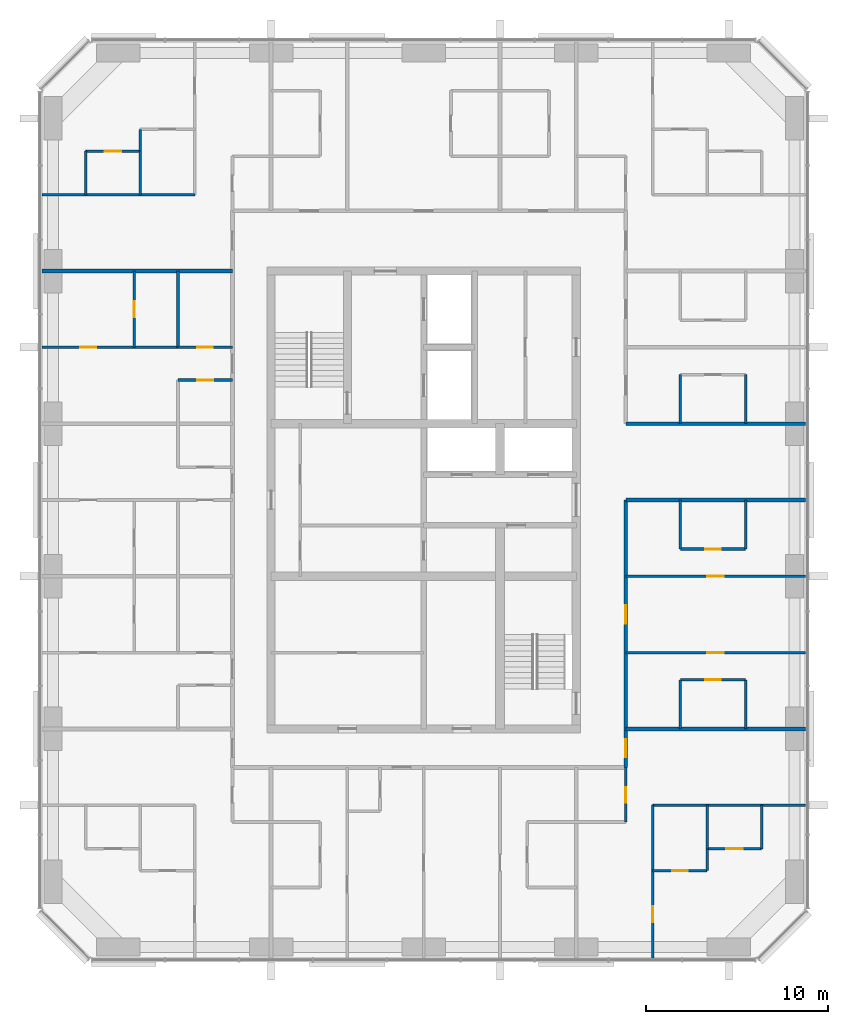
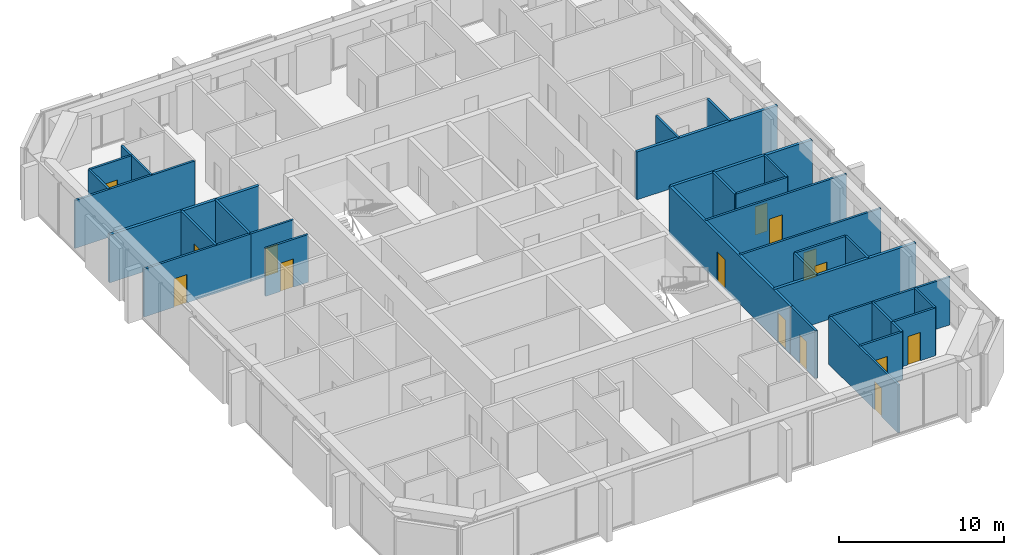
# One storey, part 9 of 12: 33 walls, 15 doors, 15 openings.
"""IFC4 building model written with IfcOpenShell, lengths in metres."""

from ifc_helpers import new_model, si_unit, direction, frame, frame_2d, origin, place, context, subcontext, project, spatial, rectangle, extrude, material, layer, layer_set, type_object, element, fill, save


model = new_model("IFC4")

# Units and contexts
model_context = context("Model", 3, precision=1e-05, world=origin(), true_north=direction((0.0, 1.0)))
body_context = subcontext(model_context, "Body", "Model", "MODEL_VIEW")
ifc_project = project(units=[si_unit("LENGTHUNIT", "METRE"), si_unit("AREAUNIT", "SQUARE_METRE"), si_unit("VOLUMEUNIT", "CUBIC_METRE"), si_unit("PLANEANGLEUNIT", "RADIAN"), si_unit("MASSUNIT", "GRAM", prefix="KILO")], contexts=[model_context])

# Site, building, storey
site_placement = place(None, origin())
site = spatial("IfcSite", under=ifc_project, at=site_placement, CompositionType="ELEMENT")
building_placement = place(site_placement, origin())
building = spatial("IfcBuilding", under=site, at=building_placement, Name="Dunama Terrace Hotel", CompositionType="ELEMENT")
storey_placement = place(building_placement, frame((0.0, 0.0, 260.699951171875)))
storey = spatial("IfcBuildingStorey", under=building, at=storey_placement, Name="L67", CompositionType="ELEMENT", Elevation=260.699951171875)

# Wall
ifc_material_1 = material(Name="Gypsum board partition", Category="masonry")
ifc_layer_1 = layer(ifc_material_1, 0.14990234375)
ifc_layer_set_1 = layer_set([ifc_layer_1], Name="Bathroom partition 150")
wall_type_1 = type_object("IfcWallType", Name="Bathroom partition 150", PredefinedType="PARTITIONING", material=ifc_layer_set_1)
wall_1_placement = place(storey_placement, frame((18.0, 48.60009765625, 0.0), z_axis=(0.0, 0.0, 1.0), x_axis=(0.0, 1.0, 0.0)))
element("IfcWall", 1, at=wall_1_placement, inside=storey, type_object=wall_type_1, Name="Bathroom partition 150 L67", PredefinedType="PARTITIONING", context=body_context, shape_type="SweptSolid", body=[
    extrude(rectangle(XDim=1.199951171875, YDim=0.14990234375, at=frame_2d((0.60009765625, 0.0))), origin(), (0.0, 0.0, 1.0), 3.550048828125),
])

# Wall, opening, door
wall_2_placement = place(storey_placement, frame((44.72509765625, 11.675048828125, 0.0), z_axis=(0.0, 0.0, 1.0), x_axis=(0.0, 1.0, 0.0)))
wall_2 = element("IfcWall", 2, at=wall_2_placement, inside=storey, type_object=wall_type_1, Name="Bathroom partition 150 L67", PredefinedType="PARTITIONING", context=body_context, shape_type="SweptSolid", body=[
    extrude(rectangle(XDim=3.0, YDim=0.14990234375, at=frame_2d((1.5, 0.0))), origin(), (0.0, 0.0, 1.0), 3.550048828125),
])
opening_1_placement = place(wall_2_placement, frame((1.074951171875, 0.0, 0.0)))
opening_1 = element("IfcOpeningElement", 3, at=opening_1_placement, cuts=wall_2, Name="Opening L65-67-050", PredefinedType="OPENING", context=body_context, shape_type="SweptSolid", body=[
    extrude(rectangle(XDim=0.85009765625, YDim=2.10009765625, at=frame_2d((0.425048828125, 1.050048828125))), frame((0.0, 0.0849609375, 0.0), z_axis=(0.0, -1.0, 0.0), x_axis=(1.0, 0.0, 0.0)), (0.0, 0.0, 1.0), 0.169921875),
])
ifc_material_2 = material(Name="Timber door with steel frame", Category="steel")
door_type_1 = type_object("IfcDoorType", Name="Bathroom door 850", OperationType="SINGLE_SWING_LEFT", PredefinedType="DOOR", material=ifc_material_2)
door_1_placement = place(opening_1_placement, origin())
door_1 = element("IfcDoor", 4, at=door_1_placement, inside=storey, type_object=door_type_1, Name="Door to powder room L65-67-050, type D2", OperationType="SINGLE_SWING_RIGHT", OverallHeight=2.10009765625, OverallWidth=0.85009765625, PredefinedType="DOOR", context=body_context, shape_type="SweptSolid", body=[
    extrude(rectangle(XDim=0.85009765625, YDim=2.10009765625, at=frame_2d((0.425048828125, 1.050048828125))), frame((0.0, 0.02490234375, 0.0), z_axis=(0.0, -1.0, 0.0), x_axis=(1.0, 0.0, 0.0)), (0.0, 0.0, 1.0), 0.050048828125),
])
fill(opening_1, door_1)

# Walls
for number, where, z_axis, x_axis, name in (
    (5, (47.72509765625, 16.800048828125, 0.0), (0.0, 0.0, 1.0), (0.0, 1.0, 0.0), "Bathroom partition 150 L67"),
    (6, (47.72509765625, 26.699951171875, 0.0), (0.0, 0.0, 1.0), (0.0, 1.0, 0.0), "Bathroom partition 150 L67"),
    (7, (47.72509765625, 33.60009765625, 0.0), (0.0, 0.0, 1.0), (0.0, 1.0, 0.0), "Bathroom partition 150 L67"),
):
    element("IfcWall", number, at=place(storey_placement, frame(where, z_axis=z_axis, x_axis=x_axis)), inside=storey, type_object=wall_type_1, Name=name, PredefinedType="PARTITIONING", context=body_context, shape_type="SweptSolid", body=[
        extrude(rectangle(XDim=2.699951171875, YDim=0.14990234375, at=frame_2d((1.35009765625, 0.0))), origin(), (0.0, 0.0, 1.0), 3.550048828125),
    ])
wall_3_placement = place(storey_placement, frame((49.199951171875, 9.0, 0.0), z_axis=(0.0, 0.0, 1.0), x_axis=(0.0, 1.0, 0.0)))
element("IfcWall", 8, at=wall_3_placement, inside=storey, type_object=wall_type_1, Name="Bathroom partition 150 L67", PredefinedType="PARTITIONING", context=body_context, shape_type="SweptSolid", body=[
    extrude(rectangle(XDim=1.199951171875, YDim=0.14990234375, at=frame_2d((0.60009765625, 0.0))), origin(), (0.0, 0.0, 1.0), 3.550048828125),
])
for number, where, z_axis, x_axis, name in (
    (9, (51.324951171875, 16.800048828125, 0.0), (0.0, 0.0, 1.0), (0.0, 1.0, 0.0), "Bathroom partition 150 L67"),
    (10, (51.324951171875, 26.699951171875, 0.0), (0.0, 0.0, 1.0), (0.0, 1.0, 0.0), "Bathroom partition 150 L67"),
    (11, (51.324951171875, 33.60009765625, 0.0), (0.0, 0.0, 1.0), (0.0, 1.0, 0.0), "Bathroom partition 150 L67"),
):
    element("IfcWall", number, at=place(storey_placement, frame(where, z_axis=z_axis, x_axis=x_axis)), inside=storey, type_object=wall_type_1, Name=name, PredefinedType="PARTITIONING", context=body_context, shape_type="SweptSolid", body=[
        extrude(rectangle(XDim=2.699951171875, YDim=0.14990234375, at=frame_2d((1.35009765625, 0.0))), origin(), (0.0, 0.0, 1.0), 3.550048828125),
    ])

# Wall, opening, door
wall_4_placement = place(storey_placement, frame((46.199951171875, 9.0, 0.0), z_axis=(0.0, 0.0, 1.0), x_axis=(1.0, 0.0, 0.0)))
wall_4 = element("IfcWall", 12, at=wall_4_placement, inside=storey, type_object=wall_type_1, Name="Bathroom partition 150 L67", PredefinedType="PARTITIONING", context=body_context, shape_type="SweptSolid", body=[
    extrude(rectangle(XDim=3.0, YDim=0.14990234375, at=frame_2d((1.5, 0.0))), origin(), (0.0, 0.0, 1.0), 3.550048828125),
])
opening_2_placement = place(wall_4_placement, frame((1.074951171875, 0.0, 0.0)))
opening_2 = element("IfcOpeningElement", 13, at=opening_2_placement, cuts=wall_4, Name="Opening L65-67-052", PredefinedType="OPENING", context=body_context, shape_type="SweptSolid", body=[
    extrude(rectangle(XDim=0.85009765625, YDim=2.10009765625, at=frame_2d((0.425048828125, 1.050048828125))), frame((0.0, 0.0849609375, 0.0), z_axis=(0.0, -1.0, 0.0), x_axis=(1.0, 0.0, 0.0)), (0.0, 0.0, 1.0), 0.169921875),
])
door_2_placement = place(opening_2_placement, origin())
door_2 = element("IfcDoor", 14, at=door_2_placement, inside=storey, type_object=door_type_1, Name="Door to en-suite bathroom L65-67-052, type D2", OperationType="SINGLE_SWING_RIGHT", OverallHeight=2.10009765625, OverallWidth=0.85009765625, PredefinedType="DOOR", context=body_context, shape_type="SweptSolid", body=[
    extrude(rectangle(XDim=0.85009765625, YDim=2.10009765625, at=frame_2d((0.425048828125, 1.050048828125))), frame((0.0, 0.02490234375, 0.0), z_axis=(0.0, -1.0, 0.0), x_axis=(1.0, 0.0, 0.0)), (0.0, 0.0, 1.0), 0.050048828125),
])
fill(opening_2, door_2)

wall_5_placement = place(storey_placement, frame((47.72509765625, 19.5, 0.0), z_axis=(0.0, 0.0, 1.0), x_axis=(1.0, 0.0, 0.0)))
wall_5 = element("IfcWall", 15, at=wall_5_placement, inside=storey, type_object=wall_type_1, Name="Bathroom partition 150 L67", PredefinedType="PARTITIONING", context=body_context, shape_type="SweptSolid", body=[
    extrude(rectangle(XDim=3.599853515625, YDim=0.14990234375, at=frame_2d((1.7998046875, 0.0))), origin(), (0.0, 0.0, 1.0), 3.550048828125),
])
opening_3_placement = place(wall_5_placement, frame((1.375, 0.0, 0.0)))
opening_3 = element("IfcOpeningElement", 16, at=opening_3_placement, cuts=wall_5, Name="Opening L65-67-016", PredefinedType="OPENING", context=body_context, shape_type="SweptSolid", body=[
    extrude(rectangle(XDim=0.85009765625, YDim=2.10009765625, at=frame_2d((0.425048828125, 1.050048828125))), frame((0.0, 0.0849609375, 0.0), z_axis=(0.0, -1.0, 0.0), x_axis=(1.0, 0.0, 0.0)), (0.0, 0.0, 1.0), 0.169921875),
])
door_3_placement = place(opening_3_placement, frame((0.85009765625, 0.0, 0.0), z_axis=(0.0, 0.0, 1.0), x_axis=(-1.0, 0.0, 0.0)))
door_3 = element("IfcDoor", 17, at=door_3_placement, inside=storey, type_object=door_type_1, Name="Door to en-suite bathroom L65-67-016, type D2", OperationType="SINGLE_SWING_RIGHT", OverallHeight=2.10009765625, OverallWidth=0.85009765625, PredefinedType="DOOR", context=body_context, shape_type="SweptSolid", body=[
    extrude(rectangle(XDim=0.85009765625, YDim=2.10009765625, at=frame_2d((0.425048828125, 1.050048828125))), frame((0.0, 0.025146484375, 0.0), z_axis=(0.0, -1.0, 0.0), x_axis=(1.0, 0.0, 0.0)), (0.0, 0.0, 1.0), 0.050048828125),
])
fill(opening_3, door_3)

wall_6_placement = place(storey_placement, frame((47.72509765625, 26.699951171875, 0.0), z_axis=(0.0, 0.0, 1.0), x_axis=(1.0, 0.0, 0.0)))
wall_6 = element("IfcWall", 18, at=wall_6_placement, inside=storey, type_object=wall_type_1, Name="Bathroom partition 150 L67", PredefinedType="PARTITIONING", context=body_context, shape_type="SweptSolid", body=[
    extrude(rectangle(XDim=3.599853515625, YDim=0.14990234375, at=frame_2d((1.7998046875, 0.0))), origin(), (0.0, 0.0, 1.0), 3.550048828125),
])
opening_4_placement = place(wall_6_placement, frame((1.375, 0.0, 0.0)))
opening_4 = element("IfcOpeningElement", 19, at=opening_4_placement, cuts=wall_6, Name="Opening L65-67-018", PredefinedType="OPENING", context=body_context, shape_type="SweptSolid", body=[
    extrude(rectangle(XDim=0.85009765625, YDim=2.10009765625, at=frame_2d((0.425048828125, 1.050048828125))), frame((0.0, 0.0849609375, 0.0), z_axis=(0.0, -1.0, 0.0), x_axis=(1.0, 0.0, 0.0)), (0.0, 0.0, 1.0), 0.169921875),
])
door_4_placement = place(opening_4_placement, origin())
door_4 = element("IfcDoor", 20, at=door_4_placement, inside=storey, type_object=door_type_1, Name="Door to en-suite bathroom L65-67-018, type D2", OperationType="SINGLE_SWING_LEFT", OverallHeight=2.10009765625, OverallWidth=0.85009765625, PredefinedType="DOOR", context=body_context, shape_type="SweptSolid", body=[
    extrude(rectangle(XDim=0.85009765625, YDim=2.10009765625, at=frame_2d((0.425048828125, 1.050048828125))), frame((0.0, 0.02490234375, 0.0), z_axis=(0.0, -1.0, 0.0), x_axis=(1.0, 0.0, 0.0)), (0.0, 0.0, 1.0), 0.050048828125),
])
fill(opening_4, door_4)

wall_7_placement = place(storey_placement, frame((20.074951171875, 37.800048828125, 0.0), z_axis=(0.0, 0.0, 1.0), x_axis=(1.0, 0.0, 0.0)))
wall_7 = element("IfcWall", 21, at=wall_7_placement, inside=storey, type_object=wall_type_1, Name="Bathroom partition 150 L67", PredefinedType="PARTITIONING", context=body_context, shape_type="SweptSolid", body=[
    extrude(rectangle(XDim=3.0, YDim=0.14990234375, at=frame_2d((1.5, 0.0))), origin(), (0.0, 0.0, 1.0), 3.550048828125),
])
opening_5_placement = place(wall_7_placement, frame((1.074951171875, 0.0, 0.0)))
opening_5 = element("IfcOpeningElement", 22, at=opening_5_placement, cuts=wall_7, Name="Opening L65-67-041", PredefinedType="OPENING", context=body_context, shape_type="SweptSolid", body=[
    extrude(rectangle(XDim=0.85009765625, YDim=2.10009765625, at=frame_2d((0.425048828125, 1.050048828125))), frame((0.0, 0.0849609375, 0.0), z_axis=(0.0, -1.0, 0.0), x_axis=(1.0, 0.0, 0.0)), (0.0, 0.0, 1.0), 0.169921875),
])
door_5_placement = place(opening_5_placement, origin())
door_5 = element("IfcDoor", 23, at=door_5_placement, inside=storey, type_object=door_type_1, Name="Door to residence bathroom L65-67-041, type D2", OperationType="SINGLE_SWING_RIGHT", OverallHeight=2.10009765625, OverallWidth=0.85009765625, PredefinedType="DOOR", context=body_context, shape_type="SweptSolid", body=[
    extrude(rectangle(XDim=0.85009765625, YDim=2.10009765625, at=frame_2d((0.425048828125, 1.050048828125))), frame((0.0, 0.02490234375, 0.0), z_axis=(0.0, -1.0, 0.0), x_axis=(1.0, 0.0, 0.0)), (0.0, 0.0, 1.0), 0.050048828125),
])
fill(opening_5, door_5)

# Wall
ifc_material_3 = material(Name="Concrete blockwork", Category="masonry")
ifc_layer_2 = layer(ifc_material_3, 0.199951171875)
ifc_layer_set_2 = layer_set([ifc_layer_2], Name="Corridor partition 200")
wall_type_2 = type_object("IfcWallType", Name="Corridor partition 200", PredefinedType="PARTITIONING", material=ifc_layer_set_2)
wall_8_placement = place(storey_placement, frame((44.72509765625, 33.60009765625, 0.0), z_axis=(0.0, 0.0, 1.0), x_axis=(1.0, 0.0, 0.0)))
element("IfcWall", 24, at=wall_8_placement, inside=storey, type_object=wall_type_2, Name="Corridor partition 200 L67", PredefinedType="PARTITIONING", context=body_context, shape_type="SweptSolid", body=[
    extrude(rectangle(XDim=9.892822265625, YDim=0.199951171875, at=frame_2d((4.9462890625, 0.0))), origin(), (0.0, 0.0, 1.0), 3.550048828125),
])

# Wall, openings, doors
wall_9_placement = place(storey_placement, frame((44.72509765625, 29.39990234375, 0.0), z_axis=(0.0, 0.0, 1.0), x_axis=(0.0, -1.0, 0.0)))
wall_9 = element("IfcWall", 25, at=wall_9_placement, inside=storey, type_object=wall_type_2, Name="Corridor partition 200 L67", PredefinedType="PARTITIONING", context=body_context, shape_type="SweptSolid", body=[
    extrude(rectangle(XDim=14.724853515625, YDim=0.199951171875, at=frame_2d((7.3623046875, 0.0))), origin(), (0.0, 0.0, 1.0), 3.550048828125),
])
opening_6_placement = place(wall_9_placement, frame((5.800048828125, 0.0, 0.0)))
opening_6 = element("IfcOpeningElement", 26, at=opening_6_placement, cuts=wall_9, Name="Opening L65-67-014", PredefinedType="OPENING", context=body_context, shape_type="SweptSolid", body=[
    extrude(rectangle(XDim=1.0, YDim=2.199951171875, at=frame_2d((0.5, 1.10009765625))), frame((0.0, 0.10986328125, 0.0), z_axis=(0.0, -1.0, 0.0), x_axis=(1.0, 0.0, 0.0)), (0.0, 0.0, 1.0), 0.219970703125),
])
opening_7_placement = place(wall_9_placement, frame((13.162109375, 0.0, 0.0)))
opening_7 = element("IfcOpeningElement", 27, at=opening_7_placement, cuts=wall_9, Name="Opening L65-67-049", PredefinedType="OPENING", context=body_context, shape_type="SweptSolid", body=[
    extrude(rectangle(XDim=1.0, YDim=2.199951171875, at=frame_2d((0.5, 1.10009765625))), frame((0.0, 0.10986328125, 0.0), z_axis=(0.0, -1.0, 0.0), x_axis=(1.0, 0.0, 0.0)), (0.0, 0.0, 1.0), 0.219970703125),
])
ifc_material_4 = material(Name="Timber door with steel frame", Category="steel")
door_type_2 = type_object("IfcDoorType", Name="Guest room door 1000", OperationType="SINGLE_SWING_LEFT", PredefinedType="DOOR", material=ifc_material_4)
door_6_placement = place(opening_6_placement, origin())
door_6 = element("IfcDoor", 28, at=door_6_placement, inside=storey, type_object=door_type_2, Name="Door to two-bedroom suite living room L65-67-014, type D1", OperationType="SINGLE_SWING_RIGHT", OverallHeight=2.199951171875, OverallWidth=1.0, PredefinedType="DOOR", context=body_context, shape_type="SweptSolid", body=[
    extrude(rectangle(XDim=1.0, YDim=2.199951171875, at=frame_2d((0.5, 1.10009765625))), frame((0.0, 0.02490234375, 0.0), z_axis=(0.0, -1.0, 0.0), x_axis=(1.0, 0.0, 0.0)), (0.0, 0.0, 1.0), 0.050048828125),
])
fill(opening_6, door_6)
door_7_placement = place(opening_7_placement, origin())
door_7 = element("IfcDoor", 29, at=door_7_placement, inside=storey, type_object=door_type_2, Name="Door to grand corner suite living room L65-67-049, type D1", OperationType="SINGLE_SWING_LEFT", OverallHeight=2.199951171875, OverallWidth=1.0, PredefinedType="DOOR", context=body_context, shape_type="SweptSolid", body=[
    extrude(rectangle(XDim=1.0, YDim=2.199951171875, at=frame_2d((0.5, 1.10009765625))), frame((0.0, 0.02490234375, 0.0), z_axis=(0.0, -1.0, 0.0), x_axis=(1.0, 0.0, 0.0)), (0.0, 0.0, 1.0), 0.050048828125),
])
fill(opening_7, door_7)

# Walls
wall_10_placement = place(storey_placement, frame((54.617919921875, 29.39990234375, 0.0), z_axis=(0.0, 0.0, 1.0), x_axis=(-1.0, 0.0, 0.0)))
element("IfcWall", 30, at=wall_10_placement, inside=storey, type_object=wall_type_2, Name="Corridor partition 200 L67", PredefinedType="PARTITIONING", context=body_context, shape_type="SweptSolid", body=[
    extrude(rectangle(XDim=9.892822265625, YDim=0.199951171875, at=frame_2d((4.9462890625, 0.0))), origin(), (0.0, 0.0, 1.0), 3.550048828125),
])
ifc_material_5 = material(Name="Concrete blockwork", Category="masonry")
ifc_layer_3 = layer(ifc_material_5, 0.199951171875)
ifc_layer_set_3 = layer_set([ifc_layer_3], Name="Party wall 200")
wall_type_3 = type_object("IfcWallType", Name="Party wall 200", PredefinedType="PARTITIONING", material=ifc_layer_set_3)
wall_11_placement = place(storey_placement, frame((44.72509765625, 16.800048828125, 0.0), z_axis=(0.0, 0.0, 1.0), x_axis=(1.0, 0.0, 0.0)))
element("IfcWall", 31, at=wall_11_placement, inside=storey, type_object=wall_type_3, Name="Party wall 200 L67", PredefinedType="PARTITIONING", context=body_context, shape_type="SweptSolid", body=[
    extrude(rectangle(XDim=9.892822265625, YDim=0.199951171875, at=frame_2d((4.9462890625, 0.0))), origin(), (0.0, 0.0, 1.0), 3.550048828125),
])
wall_12_placement = place(storey_placement, frame((12.58203125, 42.0, 0.0), z_axis=(0.0, 0.0, 1.0), x_axis=(1.0, 0.0, 0.0)))
element("IfcWall", 32, at=wall_12_placement, inside=storey, type_object=wall_type_3, Name="Party wall 200 L67", PredefinedType="PARTITIONING", context=body_context, shape_type="SweptSolid", body=[
    extrude(rectangle(XDim=10.492919921875, YDim=0.199951171875, at=frame_2d((5.24658203125, 0.0))), origin(), (0.0, 0.0, 1.0), 3.550048828125),
])
ifc_material_6 = material(Name="Gypsum board partition", Category="masonry")
ifc_layer_4 = layer(ifc_material_6, 0.14990234375)
ifc_layer_set_4 = layer_set([ifc_layer_4], Name="Room partition 150")
wall_type_4 = type_object("IfcWallType", Name="Room partition 150", PredefinedType="PARTITIONING", material=ifc_layer_set_4)
wall_13_placement = place(storey_placement, frame((15.0, 46.199951171875, 0.0), z_axis=(0.0, 0.0, 1.0), x_axis=(0.0, 1.0, 0.0)))
element("IfcWall", 33, at=wall_13_placement, inside=storey, type_object=wall_type_4, Name="Room partition 150 L67", PredefinedType="PARTITIONING", context=body_context, shape_type="SweptSolid", body=[
    extrude(rectangle(XDim=2.400146484375, YDim=0.14990234375, at=frame_2d((1.2001953125, 0.0))), origin(), (0.0, 0.0, 1.0), 3.550048828125),
])

# Wall, opening, door
wall_14_placement = place(storey_placement, frame((17.675048828125, 37.800048828125, 0.0), z_axis=(0.0, 0.0, 1.0), x_axis=(0.0, 1.0, 0.0)))
wall_14 = element("IfcWall", 34, at=wall_14_placement, inside=storey, type_object=wall_type_4, Name="Room partition 150 L67", PredefinedType="PARTITIONING", context=body_context, shape_type="SweptSolid", body=[
    extrude(rectangle(XDim=4.199951171875, YDim=0.14990234375, at=frame_2d((2.10009765625, 0.0))), origin(), (0.0, 0.0, 1.0), 3.550048828125),
])
opening_8_placement = place(wall_14_placement, frame((1.64990234375, 0.0, 0.0)))
opening_8 = element("IfcOpeningElement", 35, at=opening_8_placement, cuts=wall_14, Name="Opening L65-67-042", PredefinedType="OPENING", context=body_context, shape_type="SweptSolid", body=[
    extrude(rectangle(XDim=0.89990234375, YDim=2.10009765625, at=frame_2d((0.449951171875, 1.050048828125))), frame((0.0, 0.0849609375, 0.0), z_axis=(0.0, -1.0, 0.0), x_axis=(1.0, 0.0, 0.0)), (0.0, 0.0, 1.0), 0.169921875),
])
ifc_material_7 = material(Name="Timber door with steel frame", Category="steel")
door_type_3 = type_object("IfcDoorType", Name="Suite internal door 900", OperationType="SINGLE_SWING_LEFT", PredefinedType="DOOR", material=ifc_material_7)
door_8_placement = place(opening_8_placement, frame((0.89990234375, 0.0, 0.0), z_axis=(0.0, 0.0, 1.0), x_axis=(-1.0, 0.0, 0.0)))
door_8 = element("IfcDoor", 36, at=door_8_placement, inside=storey, type_object=door_type_3, Name="Door to walk-in wardrobe L65-67-042, type D16", OperationType="SINGLE_SWING_RIGHT", OverallHeight=2.10009765625, OverallWidth=0.89990234375, PredefinedType="DOOR", context=body_context, shape_type="SweptSolid", body=[
    extrude(rectangle(XDim=0.89990234375, YDim=2.10009765625, at=frame_2d((0.449951171875, 1.050048828125))), frame((0.0, 0.025146484375, 0.0), z_axis=(0.0, -1.0, 0.0), x_axis=(1.0, 0.0, 0.0)), (0.0, 0.0, 1.0), 0.050048828125),
])
fill(opening_8, door_8)

# Walls
wall_15_placement = place(storey_placement, frame((18.0, 46.199951171875, 0.0), z_axis=(0.0, 0.0, 1.0), x_axis=(0.0, 1.0, 0.0)))
element("IfcWall", 37, at=wall_15_placement, inside=storey, type_object=wall_type_4, Name="Room partition 150 L67", PredefinedType="PARTITIONING", context=body_context, shape_type="SweptSolid", body=[
    extrude(rectangle(XDim=2.400146484375, YDim=0.14990234375, at=frame_2d((1.2001953125, 0.0))), origin(), (0.0, 0.0, 1.0), 3.550048828125),
])
wall_16_placement = place(storey_placement, frame((20.074951171875, 37.800048828125, 0.0), z_axis=(0.0, 0.0, 1.0), x_axis=(0.0, 1.0, 0.0)))
element("IfcWall", 38, at=wall_16_placement, inside=storey, type_object=wall_type_4, Name="Room partition 150 L67", PredefinedType="PARTITIONING", context=body_context, shape_type="SweptSolid", body=[
    extrude(rectangle(XDim=4.199951171875, YDim=0.14990234375, at=frame_2d((2.10009765625, 0.0))), origin(), (0.0, 0.0, 1.0), 3.550048828125),
])

# Wall, opening, door
wall_17_placement = place(storey_placement, frame((46.199951171875, 4.181884765625, 0.0), z_axis=(0.0, 0.0, 1.0), x_axis=(0.0, 1.0, 0.0)))
wall_17 = element("IfcWall", 39, at=wall_17_placement, inside=storey, type_object=wall_type_4, Name="Room partition 150 L67", PredefinedType="PARTITIONING", context=body_context, shape_type="SweptSolid", body=[
    extrude(rectangle(XDim=8.418212890625, YDim=0.14990234375, at=frame_2d((4.208984375, 0.0))), origin(), (0.0, 0.0, 1.0), 3.550048828125),
])
opening_9_placement = place(wall_17_placement, frame((1.968017578125, 0.0, 0.0)))
opening_9 = element("IfcOpeningElement", 40, at=opening_9_placement, cuts=wall_17, Name="Opening L65-67-051", PredefinedType="OPENING", context=body_context, shape_type="SweptSolid", body=[
    extrude(rectangle(XDim=0.89990234375, YDim=2.10009765625, at=frame_2d((0.449951171875, 1.050048828125))), frame((0.0, 0.0849609375, 0.0), z_axis=(0.0, -1.0, 0.0), x_axis=(1.0, 0.0, 0.0)), (0.0, 0.0, 1.0), 0.169921875),
])
door_9_placement = place(opening_9_placement, frame((0.89990234375, 0.0, 0.0), z_axis=(0.0, 0.0, 1.0), x_axis=(-1.0, 0.0, 0.0)))
door_9 = element("IfcDoor", 41, at=door_9_placement, inside=storey, type_object=door_type_3, Name="Door to grand corner suite bedroom L65-67-051, type D16", OperationType="SINGLE_SWING_LEFT", OverallHeight=2.10009765625, OverallWidth=0.89990234375, PredefinedType="DOOR", context=body_context, shape_type="SweptSolid", body=[
    extrude(rectangle(XDim=0.89990234375, YDim=2.10009765625, at=frame_2d((0.449951171875, 1.050048828125))), frame((0.0, 0.025146484375, 0.0), z_axis=(0.0, -1.0, 0.0), x_axis=(1.0, 0.0, 0.0)), (0.0, 0.0, 1.0), 0.050048828125),
])
fill(opening_9, door_9)

# Walls
for number, where, z_axis, x_axis, name in (
    (42, (49.199951171875, 10.199951171875, 0.0), (0.0, 0.0, 1.0), (0.0, 1.0, 0.0), "Room partition 150 L67"),
    (43, (52.199951171875, 10.199951171875, 0.0), (0.0, 0.0, 1.0), (0.0, 1.0, 0.0), "Room partition 150 L67"),
):
    element("IfcWall", number, at=place(storey_placement, frame(where, z_axis=z_axis, x_axis=x_axis)), inside=storey, type_object=wall_type_4, Name=name, PredefinedType="PARTITIONING", context=body_context, shape_type="SweptSolid", body=[
        extrude(rectangle(XDim=2.400146484375, YDim=0.14990234375, at=frame_2d((1.2001953125, 0.0))), origin(), (0.0, 0.0, 1.0), 3.550048828125),
    ])

# Wall, opening, door
wall_18_placement = place(storey_placement, frame((49.199951171875, 10.199951171875, 0.0), z_axis=(0.0, 0.0, 1.0), x_axis=(1.0, 0.0, 0.0)))
wall_18 = element("IfcWall", 44, at=wall_18_placement, inside=storey, type_object=wall_type_4, Name="Room partition 150 L67", PredefinedType="PARTITIONING", context=body_context, shape_type="SweptSolid", body=[
    extrude(rectangle(XDim=3.0, YDim=0.14990234375, at=frame_2d((1.5, 0.0))), origin(), (0.0, 0.0, 1.0), 3.550048828125),
])
opening_10_placement = place(wall_18_placement, frame((1.050048828125, 0.0, 0.0)))
opening_10 = element("IfcOpeningElement", 45, at=opening_10_placement, cuts=wall_18, Name="Opening L65-67-053", PredefinedType="OPENING", context=body_context, shape_type="SweptSolid", body=[
    extrude(rectangle(XDim=0.89990234375, YDim=2.10009765625, at=frame_2d((0.449951171875, 1.050048828125))), frame((0.0, 0.0849609375, 0.0), z_axis=(0.0, -1.0, 0.0), x_axis=(1.0, 0.0, 0.0)), (0.0, 0.0, 1.0), 0.169921875),
])
door_10_placement = place(opening_10_placement, origin())
door_10 = element("IfcDoor", 46, at=door_10_placement, inside=storey, type_object=door_type_3, Name="Door to dressing room L65-67-053, type D16", OperationType="SINGLE_SWING_LEFT", OverallHeight=2.10009765625, OverallWidth=0.89990234375, PredefinedType="DOOR", context=body_context, shape_type="SweptSolid", body=[
    extrude(rectangle(XDim=0.89990234375, YDim=2.10009765625, at=frame_2d((0.449951171875, 1.050048828125))), frame((0.0, 0.02490234375, 0.0), z_axis=(0.0, -1.0, 0.0), x_axis=(1.0, 0.0, 0.0)), (0.0, 0.0, 1.0), 0.050048828125),
])
fill(opening_10, door_10)

# Wall
wall_19_placement = place(storey_placement, frame((46.199951171875, 12.60009765625, 0.0), z_axis=(0.0, 0.0, 1.0), x_axis=(1.0, 0.0, 0.0)))
element("IfcWall", 47, at=wall_19_placement, inside=storey, type_object=wall_type_4, Name="Room partition 150 L67", PredefinedType="PARTITIONING", context=body_context, shape_type="SweptSolid", body=[
    extrude(rectangle(XDim=8.41796875, YDim=0.14990234375, at=frame_2d((4.208984375, 0.0))), origin(), (0.0, 0.0, 1.0), 3.550048828125),
])

# Wall, opening, door
wall_20_placement = place(storey_placement, frame((44.72509765625, 21.0, 0.0), z_axis=(0.0, 0.0, 1.0), x_axis=(1.0, 0.0, 0.0)))
wall_20 = element("IfcWall", 48, at=wall_20_placement, inside=storey, type_object=wall_type_4, Name="Room partition 150 L67", PredefinedType="PARTITIONING", context=body_context, shape_type="SweptSolid", body=[
    extrude(rectangle(XDim=9.892822265625, YDim=0.14990234375, at=frame_2d((4.9462890625, 0.0))), origin(), (0.0, 0.0, 1.0), 3.550048828125),
])
opening_11_placement = place(wall_20_placement, frame((4.487060546875, 0.0, 0.0)))
opening_11 = element("IfcOpeningElement", 49, at=opening_11_placement, cuts=wall_20, Name="Opening L65-67-015", PredefinedType="OPENING", context=body_context, shape_type="SweptSolid", body=[
    extrude(rectangle(XDim=0.89990234375, YDim=2.10009765625, at=frame_2d((0.449951171875, 1.050048828125))), frame((0.0, 0.0849609375, 0.0), z_axis=(0.0, -1.0, 0.0), x_axis=(1.0, 0.0, 0.0)), (0.0, 0.0, 1.0), 0.169921875),
])
door_11_placement = place(opening_11_placement, frame((0.89990234375, 0.0, 0.0), z_axis=(0.0, 0.0, 1.0), x_axis=(-1.0, 0.0, 0.0)))
door_11 = element("IfcDoor", 50, at=door_11_placement, inside=storey, type_object=door_type_3, Name="Door to two-bedroom suite bedroom L65-67-015, type D16", OperationType="SINGLE_SWING_RIGHT", OverallHeight=2.10009765625, OverallWidth=0.89990234375, PredefinedType="DOOR", context=body_context, shape_type="SweptSolid", body=[
    extrude(rectangle(XDim=0.89990234375, YDim=2.10009765625, at=frame_2d((0.449951171875, 1.050048828125))), frame((0.0, 0.025146484375, 0.0), z_axis=(0.0, -1.0, 0.0), x_axis=(1.0, 0.0, 0.0)), (0.0, 0.0, 1.0), 0.050048828125),
])
fill(opening_11, door_11)

wall_21_placement = place(storey_placement, frame((44.72509765625, 25.199951171875, 0.0), z_axis=(0.0, 0.0, 1.0), x_axis=(1.0, 0.0, 0.0)))
wall_21 = element("IfcWall", 51, at=wall_21_placement, inside=storey, type_object=wall_type_4, Name="Room partition 150 L67", PredefinedType="PARTITIONING", context=body_context, shape_type="SweptSolid", body=[
    extrude(rectangle(XDim=9.892822265625, YDim=0.14990234375, at=frame_2d((4.9462890625, 0.0))), origin(), (0.0, 0.0, 1.0), 3.550048828125),
])
opening_12_placement = place(wall_21_placement, frame((4.487060546875, 0.0, 0.0)))
opening_12 = element("IfcOpeningElement", 52, at=opening_12_placement, cuts=wall_21, Name="Opening L65-67-017", PredefinedType="OPENING", context=body_context, shape_type="SweptSolid", body=[
    extrude(rectangle(XDim=0.89990234375, YDim=2.10009765625, at=frame_2d((0.449951171875, 1.050048828125))), frame((0.0, 0.0849609375, 0.0), z_axis=(0.0, -1.0, 0.0), x_axis=(1.0, 0.0, 0.0)), (0.0, 0.0, 1.0), 0.169921875),
])
door_12_placement = place(opening_12_placement, origin())
door_12 = element("IfcDoor", 53, at=door_12_placement, inside=storey, type_object=door_type_3, Name="Door to two-bedroom suite second bedroom L65-67-017, type D16", OperationType="SINGLE_SWING_LEFT", OverallHeight=2.10009765625, OverallWidth=0.89990234375, PredefinedType="DOOR", context=body_context, shape_type="SweptSolid", body=[
    extrude(rectangle(XDim=0.89990234375, YDim=2.10009765625, at=frame_2d((0.449951171875, 1.050048828125))), frame((0.0, 0.02490234375, 0.0), z_axis=(0.0, -1.0, 0.0), x_axis=(1.0, 0.0, 0.0)), (0.0, 0.0, 1.0), 0.050048828125),
])
fill(opening_12, door_12)

wall_22_placement = place(storey_placement, frame((20.074951171875, 36.0, 0.0), z_axis=(0.0, 0.0, 1.0), x_axis=(1.0, 0.0, 0.0)))
wall_22 = element("IfcWall", 54, at=wall_22_placement, inside=storey, type_object=wall_type_4, Name="Room partition 150 L67", PredefinedType="PARTITIONING", context=body_context, shape_type="SweptSolid", body=[
    extrude(rectangle(XDim=3.0, YDim=0.14990234375, at=frame_2d((1.5, 0.0))), origin(), (0.0, 0.0, 1.0), 3.550048828125),
])
opening_13_placement = place(wall_22_placement, frame((1.050048828125, 0.0, 0.0)))
opening_13 = element("IfcOpeningElement", 55, at=opening_13_placement, cuts=wall_22, Name="Opening L65-67-040", PredefinedType="OPENING", context=body_context, shape_type="SweptSolid", body=[
    extrude(rectangle(XDim=0.89990234375, YDim=2.10009765625, at=frame_2d((0.449951171875, 1.050048828125))), frame((0.0, 0.0849609375, 0.0), z_axis=(0.0, -1.0, 0.0), x_axis=(1.0, 0.0, 0.0)), (0.0, 0.0, 1.0), 0.169921875),
])
door_13_placement = place(opening_13_placement, frame((0.89990234375, 0.0, 0.0), z_axis=(0.0, 0.0, 1.0), x_axis=(-1.0, 0.0, 0.0)))
door_13 = element("IfcDoor", 56, at=door_13_placement, inside=storey, type_object=door_type_3, Name="Door to residence kitchen L65-67-040, type D16", OperationType="SINGLE_SWING_LEFT", OverallHeight=2.10009765625, OverallWidth=0.89990234375, PredefinedType="DOOR", context=body_context, shape_type="SweptSolid", body=[
    extrude(rectangle(XDim=0.89990234375, YDim=2.10009765625, at=frame_2d((0.449951171875, 1.050048828125))), frame((0.0, 0.025146484375, 0.0), z_axis=(0.0, -1.0, 0.0), x_axis=(1.0, 0.0, 0.0)), (0.0, 0.0, 1.0), 0.050048828125),
])
fill(opening_13, door_13)

wall_23_placement = place(storey_placement, frame((12.58203125, 37.800048828125, 0.0), z_axis=(0.0, 0.0, 1.0), x_axis=(1.0, 0.0, 0.0)))
wall_23 = element("IfcWall", 57, at=wall_23_placement, inside=storey, type_object=wall_type_4, Name="Room partition 150 L67", PredefinedType="PARTITIONING", context=body_context, shape_type="SweptSolid", body=[
    extrude(rectangle(XDim=7.492919921875, YDim=0.14990234375, at=frame_2d((3.74658203125, 0.0))), origin(), (0.0, 0.0, 1.0), 3.550048828125),
])
opening_14_placement = place(wall_23_placement, frame((2.10595703125, 0.0, 0.0)))
opening_14 = element("IfcOpeningElement", 58, at=opening_14_placement, cuts=wall_23, Name="Opening L65-67-043", PredefinedType="OPENING", context=body_context, shape_type="SweptSolid", body=[
    extrude(rectangle(XDim=0.89990234375, YDim=2.10009765625, at=frame_2d((0.449951171875, 1.050048828125))), frame((0.0, 0.0849609375, 0.0), z_axis=(0.0, -1.0, 0.0), x_axis=(1.0, 0.0, 0.0)), (0.0, 0.0, 1.0), 0.169921875),
])
door_14_placement = place(opening_14_placement, origin())
door_14 = element("IfcDoor", 59, at=door_14_placement, inside=storey, type_object=door_type_3, Name="Door to residence bedroom L65-67-043, type D16", OperationType="SINGLE_SWING_RIGHT", OverallHeight=2.10009765625, OverallWidth=0.89990234375, PredefinedType="DOOR", context=body_context, shape_type="SweptSolid", body=[
    extrude(rectangle(XDim=0.89990234375, YDim=2.10009765625, at=frame_2d((0.449951171875, 1.050048828125))), frame((0.0, 0.02490234375, 0.0), z_axis=(0.0, -1.0, 0.0), x_axis=(1.0, 0.0, 0.0)), (0.0, 0.0, 1.0), 0.050048828125),
])
fill(opening_14, door_14)

# Wall
wall_24_placement = place(storey_placement, frame((12.58203125, 46.199951171875, 0.0), z_axis=(0.0, 0.0, 1.0), x_axis=(1.0, 0.0, 0.0)))
element("IfcWall", 60, at=wall_24_placement, inside=storey, type_object=wall_type_4, Name="Room partition 150 L67", PredefinedType="PARTITIONING", context=body_context, shape_type="SweptSolid", body=[
    extrude(rectangle(XDim=8.41796875, YDim=0.14990234375, at=frame_2d((4.208984375, 0.0))), origin(), (0.0, 0.0, 1.0), 3.550048828125),
])

# Wall, opening, door
wall_25_placement = place(storey_placement, frame((15.0, 48.60009765625, 0.0), z_axis=(0.0, 0.0, 1.0), x_axis=(1.0, 0.0, 0.0)))
wall_25 = element("IfcWall", 61, at=wall_25_placement, inside=storey, type_object=wall_type_4, Name="Room partition 150 L67", PredefinedType="PARTITIONING", context=body_context, shape_type="SweptSolid", body=[
    extrude(rectangle(XDim=3.0, YDim=0.14990234375, at=frame_2d((1.5, 0.0))), origin(), (0.0, 0.0, 1.0), 3.550048828125),
])
opening_15_placement = place(wall_25_placement, frame((1.050048828125, 0.0, 0.0)))
opening_15 = element("IfcOpeningElement", 62, at=opening_15_placement, cuts=wall_25, Name="Opening L65-67-063", PredefinedType="OPENING", context=body_context, shape_type="SweptSolid", body=[
    extrude(rectangle(XDim=0.89990234375, YDim=2.10009765625, at=frame_2d((0.449951171875, 1.050048828125))), frame((0.0, 0.0849609375, 0.0), z_axis=(0.0, -1.0, 0.0), x_axis=(1.0, 0.0, 0.0)), (0.0, 0.0, 1.0), 0.169921875),
])
door_15_placement = place(opening_15_placement, frame((0.89990234375, 0.0, 0.0), z_axis=(0.0, 0.0, 1.0), x_axis=(-1.0, 0.0, 0.0)))
door_15 = element("IfcDoor", 63, at=door_15_placement, inside=storey, type_object=door_type_3, Name="Door to dressing room L65-67-063, type D16", OperationType="SINGLE_SWING_RIGHT", OverallHeight=2.10009765625, OverallWidth=0.89990234375, PredefinedType="DOOR", context=body_context, shape_type="SweptSolid", body=[
    extrude(rectangle(XDim=0.89990234375, YDim=2.10009765625, at=frame_2d((0.449951171875, 1.050048828125))), frame((0.0, 0.025146484375, 0.0), z_axis=(0.0, -1.0, 0.0), x_axis=(1.0, 0.0, 0.0)), (0.0, 0.0, 1.0), 0.050048828125),
])
fill(opening_15, door_15)

save(model, "model.ifc")
